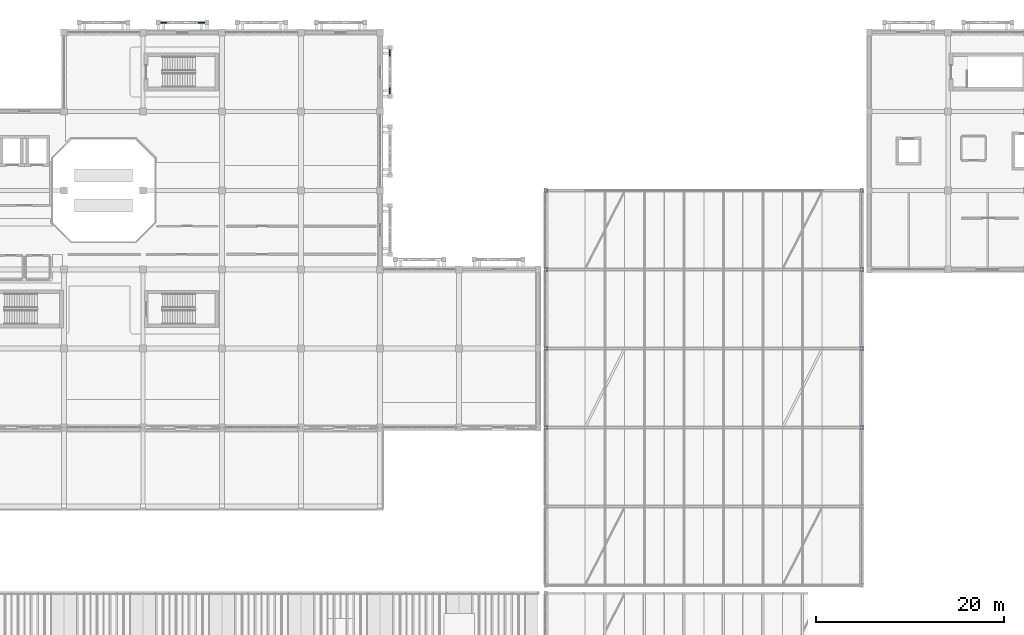
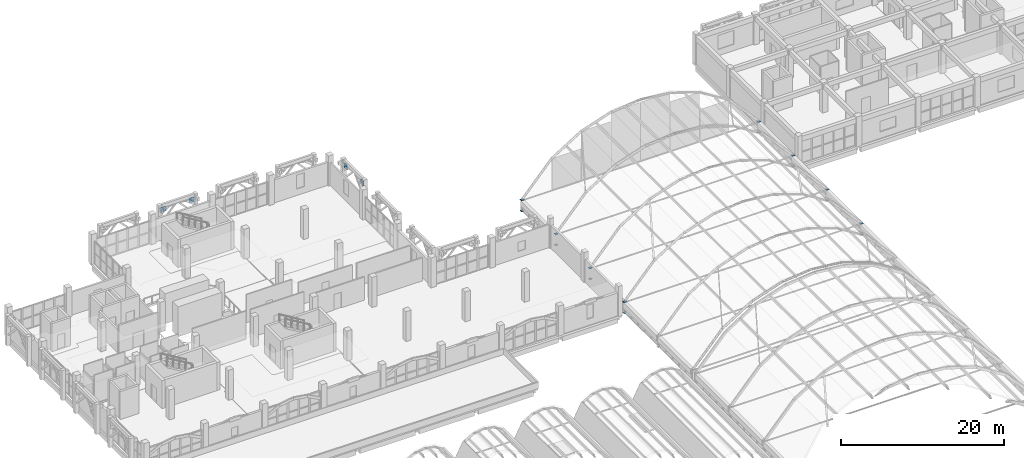
# One storey, part 101 of 114: 28 plates.
"""IFC4 building model written with IfcOpenShell, lengths in metres."""

from ifc_helpers import new_model, si_unit, direction, frame, origin, origin_2d, place, context, subcontext, project, spatial, rectangle, extrude, material, layer, layer_set, type_object, element, save


model = new_model("IFC4")

# Units and contexts
model_context = context("Model", 3, precision=1e-05, world=origin(), true_north=direction((0.0, 1.0)))
body_context = subcontext(model_context, "Body", "Model", "MODEL_VIEW")
ifc_project = project(units=[si_unit("LENGTHUNIT", "METRE"), si_unit("AREAUNIT", "SQUARE_METRE"), si_unit("VOLUMEUNIT", "CUBIC_METRE"), si_unit("PLANEANGLEUNIT", "RADIAN"), si_unit("MASSUNIT", "GRAM", prefix="KILO")], contexts=[model_context])

# Site, building, storey
site_placement = place(None, origin())
site = spatial("IfcSite", under=ifc_project, at=site_placement, CompositionType="ELEMENT")
building_placement = place(site_placement, origin())
building = spatial("IfcBuilding", under=site, at=building_placement, Name="Xazarin Passage Department Store", CompositionType="ELEMENT")
storey_placement = place(building_placement, frame((0.0, 0.0, 14.39990234375)))
storey = spatial("IfcBuildingStorey", under=building, at=storey_placement, Name="L03", CompositionType="ELEMENT", Elevation=14.39990234375)

# Plates
ifc_material_1 = material(Name="Precast concrete C40/50", Category="concrete")
ifc_layer_1 = layer(ifc_material_1, 0.10009765625)
ifc_layer_set_1 = layer_set([ifc_layer_1], Name="Precast concrete C40/50")
plate_type_1 = type_object("IfcPlateType", Name="ARC-PLT-SCR-03", PredefinedType="USERDEFINED", material=ifc_layer_set_1)
for number, where, z_axis, x_axis, name in (
    (1, (27.39990234375, 111.050048828125, 3.26025390625), (0.0, 0.0, 1.0), (1.0, 0.0, 0.0), "L03 V1 Arch Spandrel Tympanum 0023"),
    (2, (31.39990234375, 111.050048828125, 3.26025390625), (0.0, 0.0, 1.0), (1.0, 0.0, 0.0), "L03 V1 Arch Spandrel Tympanum 0024"),
    (3, (51.449951171875, 103.800048828125, 3.26025390625), (0.0, 0.0, 1.0), (0.0, 1.0, 0.0), "L03 V1 Arch Spandrel Tympanum 0163"),
    (4, (51.449951171875, 107.800048828125, 3.26025390625), (0.0, 0.0, 1.0), (0.0, 1.0, 0.0), "L03 V1 Arch Spandrel Tympanum 0164"),
):
    element("IfcPlate", number, at=place(storey_placement, frame(where, z_axis=z_axis, x_axis=x_axis)), inside=storey, type_object=plate_type_1, Name=name, ObjectType="SCREEN PANEL", PredefinedType="USERDEFINED", context=body_context, shape_type="SweptSolid", body=[
        extrude(rectangle(XDim=0.679931640625, YDim=0.10009765625, at=origin_2d()), origin(), (0.0, 0.0, 1.0), 0.719970703125),
    ])
ifc_material_2 = material(Name="Steel S355", Category="steel")
ifc_layer_2 = layer(ifc_material_2, 0.02392578125)
ifc_layer_set_2 = layer_set([ifc_layer_2], Name="Steel S355")
plate_type_2 = type_object("IfcPlateType", Name="STR-PLT-CAP24", PredefinedType="USERDEFINED", material=ifc_layer_set_2)
for number, where, z_axis, x_axis, name in (
    (5, (68.0, 68.0, -0.01611328125), (0.0, 0.0, 1.0), (1.0, 0.0, 0.0), "V2N Drum Column End Cap W-3-B"),
    (6, (68.0, 68.0, 1.6357421875), (0.0, 0.0, 1.0), (1.0, 0.0, 0.0), "V2N Drum Column End Cap W-3-T"),
    (7, (101.60009765625, 68.0, -0.01611328125), (0.0, 0.0, 1.0), (1.0, 0.0, 0.0), "V2N Drum Column End Cap E-3-B"),
    (8, (101.60009765625, 68.0, 1.6357421875), (0.0, 0.0, 1.0), (1.0, 0.0, 0.0), "V2N Drum Column End Cap E-3-T"),
    (9, (68.0, 76.39990234375, -0.01611328125), (0.0, 0.0, 1.0), (1.0, 0.0, 0.0), "V2N Drum Column End Cap W-4-B"),
    (10, (68.0, 76.39990234375, 1.6357421875), (0.0, 0.0, 1.0), (1.0, 0.0, 0.0), "V2N Drum Column End Cap W-4-T"),
    (11, (101.60009765625, 76.39990234375, -0.01611328125), (0.0, 0.0, 1.0), (1.0, 0.0, 0.0), "V2N Drum Column End Cap E-4-B"),
    (12, (101.60009765625, 76.39990234375, 1.6357421875), (0.0, 0.0, 1.0), (1.0, 0.0, 0.0), "V2N Drum Column End Cap E-4-T"),
    (13, (68.0, 84.800048828125, -0.01611328125), (0.0, 0.0, 1.0), (1.0, 0.0, 0.0), "V2N Drum Column End Cap W-5-B"),
    (14, (68.0, 84.800048828125, 1.6357421875), (0.0, 0.0, 1.0), (1.0, 0.0, 0.0), "V2N Drum Column End Cap W-5-T"),
    (15, (101.60009765625, 84.800048828125, -0.01611328125), (0.0, 0.0, 1.0), (1.0, 0.0, 0.0), "V2N Drum Column End Cap E-5-B"),
    (16, (101.60009765625, 84.800048828125, 1.6357421875), (0.0, 0.0, 1.0), (1.0, 0.0, 0.0), "V2N Drum Column End Cap E-5-T"),
    (17, (68.0, 93.199951171875, -0.01611328125), (0.0, 0.0, 1.0), (1.0, 0.0, 0.0), "V2N Drum Column End Cap W-6-B"),
    (18, (68.0, 93.199951171875, 1.6357421875), (0.0, 0.0, 1.0), (1.0, 0.0, 0.0), "V2N Drum Column End Cap W-6-T"),
    (19, (101.60009765625, 93.199951171875, -0.01611328125), (0.0, 0.0, 1.0), (1.0, 0.0, 0.0), "V2N Drum Column End Cap E-6-B"),
    (20, (101.60009765625, 93.199951171875, 1.6357421875), (0.0, 0.0, 1.0), (1.0, 0.0, 0.0), "V2N Drum Column End Cap E-6-T"),
):
    element("IfcPlate", number, at=place(storey_placement, frame(where, z_axis=z_axis, x_axis=x_axis)), inside=storey, type_object=plate_type_2, Name=name, ObjectType="GUSSET PLATE", PredefinedType="USERDEFINED", context=body_context, shape_type="SweptSolid", body=[
        extrude(rectangle(XDim=0.320068359375, YDim=0.320068359375, at=origin_2d()), origin(), (0.0, 0.0, 1.0), 0.031982421875),
    ])
for number, where, z_axis, x_axis, name in (
    (21, (68.0, 68.0, 1.65185546875), (0.0, 0.0, 1.0), (1.0, 0.0, 0.0), "V2N Arch Springing Cap Plate W-3"),
    (22, (101.60009765625, 68.0, 1.65185546875), (0.0, 0.0, 1.0), (1.0, 0.0, 0.0), "V2N Arch Springing Cap Plate E-3"),
    (23, (68.0, 76.39990234375, 1.65185546875), (0.0, 0.0, 1.0), (1.0, 0.0, 0.0), "V2N Arch Springing Cap Plate W-4"),
    (24, (101.60009765625, 76.39990234375, 1.65185546875), (0.0, 0.0, 1.0), (1.0, 0.0, 0.0), "V2N Arch Springing Cap Plate E-4"),
    (25, (68.0, 84.800048828125, 1.65185546875), (0.0, 0.0, 1.0), (1.0, 0.0, 0.0), "V2N Arch Springing Cap Plate W-5"),
    (26, (101.60009765625, 84.800048828125, 1.65185546875), (0.0, 0.0, 1.0), (1.0, 0.0, 0.0), "V2N Arch Springing Cap Plate E-5"),
    (27, (68.0, 93.199951171875, 1.65185546875), (0.0, 0.0, 1.0), (1.0, 0.0, 0.0), "V2N Arch Springing Cap Plate W-6"),
    (28, (101.60009765625, 93.199951171875, 1.65185546875), (0.0, 0.0, 1.0), (1.0, 0.0, 0.0), "V2N Arch Springing Cap Plate E-6"),
):
    element("IfcPlate", number, at=place(storey_placement, frame(where, z_axis=z_axis, x_axis=x_axis)), inside=storey, type_object=plate_type_2, Name=name, ObjectType="GUSSET PLATE", PredefinedType="USERDEFINED", context=body_context, shape_type="SweptSolid", body=[
        extrude(rectangle(XDim=0.3798828125, YDim=0.3798828125, at=origin_2d()), origin(), (0.0, 0.0, 1.0), 0.02392578125),
    ])

save(model, "model.ifc")
